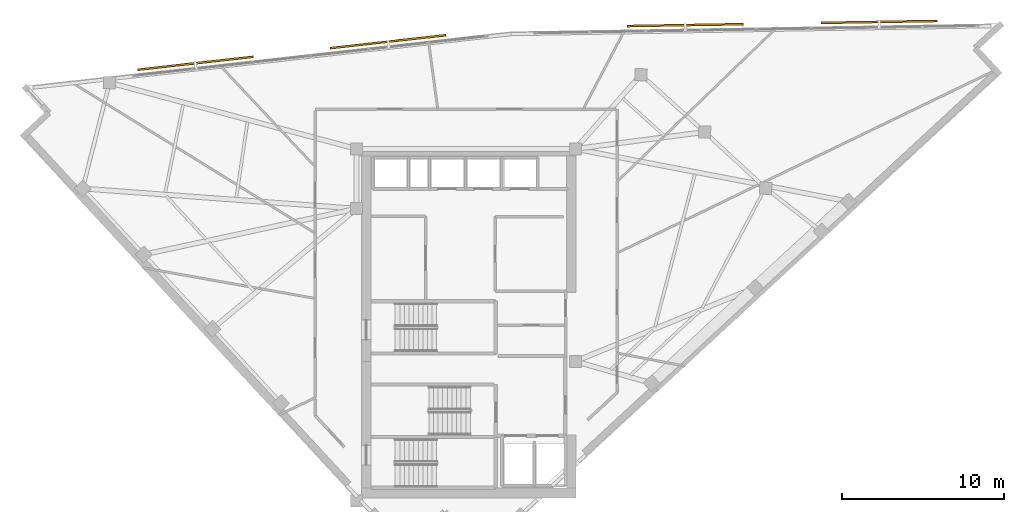
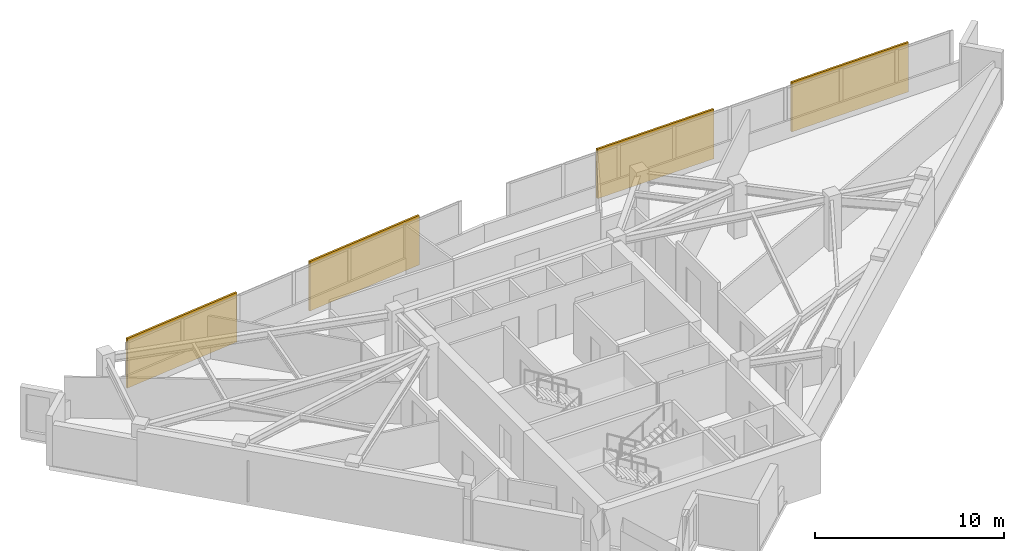
# One storey, part 11 of 11: 4 shading devices.
"""IFC4 building model written with IfcOpenShell, lengths in metres."""

from ifc_helpers import new_model, si_unit, direction, frame, origin, origin_2d, place, context, subcontext, project, spatial, rectangle, extrude, material, layer, layer_set, type_object, element, save


model = new_model("IFC4")

# Units and contexts
model_context = context("Model", 3, precision=1e-05, world=origin(), true_north=direction((0.0, 1.0)))
body_context = subcontext(model_context, "Body", "Model", "MODEL_VIEW")
ifc_project = project(units=[si_unit("LENGTHUNIT", "METRE"), si_unit("AREAUNIT", "SQUARE_METRE"), si_unit("VOLUMEUNIT", "CUBIC_METRE"), si_unit("PLANEANGLEUNIT", "RADIAN"), si_unit("MASSUNIT", "GRAM", prefix="KILO")], contexts=[model_context])

# Site, building, storey
site_placement = place(None, origin())
site = spatial("IfcSite", under=ifc_project, at=site_placement, CompositionType="ELEMENT")
building_placement = place(site_placement, origin())
building = spatial("IfcBuilding", under=site, at=building_placement, Name="Narakoshi Arena Tower", CompositionType="ELEMENT")
storey_placement = place(building_placement, frame((0.0, 0.0, 285.3798828125)))
storey = spatial("IfcBuildingStorey", under=building, at=storey_placement, Name="L78", CompositionType="ELEMENT", Elevation=285.3798828125)

# Shading devices
ifc_material = material(Name="Anodised bronze aluminium 6063-T6", Category="aluminium")
ifc_layer = layer(ifc_material, 0.1201171875)
ifc_layer_set = layer_set([ifc_layer], Name="Anodised bronze aluminium 6063-T6")
shading_device_type = type_object("IfcShadingDeviceType", Name="SHD-LVR-PLT", PredefinedType="JALOUSIE", material=ifc_layer_set)
for number, where, z_axis, x_axis, name in (
    (1, (104.35400390625, 64.358154296875, 0.0), (0.0, 0.0, 1.0), (-0.999864849778, -0.016440260879, 0.0), "L78 Outrigger Plant Louvre Bank 1-1"),
    (2, (92.355712890625, 64.16064453125, 0.0), (0.0, 0.0, 1.0), (-0.999864849778, -0.016440260879, 0.0), "L78 Outrigger Plant Louvre Bank 1-2"),
    (3, (73.961669921875, 63.134765625, 0.0), (0.0, 0.0, 1.0), (-0.993775698738, -0.111399553846, 0.0), "L78 Outrigger Plant Louvre Bank 2-1"),
    (4, (62.036376953125, 61.798095703125, 0.0), (0.0, 0.0, 1.0), (-0.993775698738, -0.111399553846, 0.0), "L78 Outrigger Plant Louvre Bank 2-2"),
):
    element("IfcShadingDevice", number, at=place(storey_placement, frame(where, z_axis=z_axis, x_axis=x_axis)), inside=storey, type_object=shading_device_type, Name=name, PredefinedType="JALOUSIE", context=body_context, shape_type="SweptSolid", body=[
        extrude(rectangle(XDim=7.199951171875, YDim=0.1201171875, at=origin_2d()), origin(), (0.0, 0.0, 1.0), 3.199951171875),
    ])

save(model, "model.ifc")
